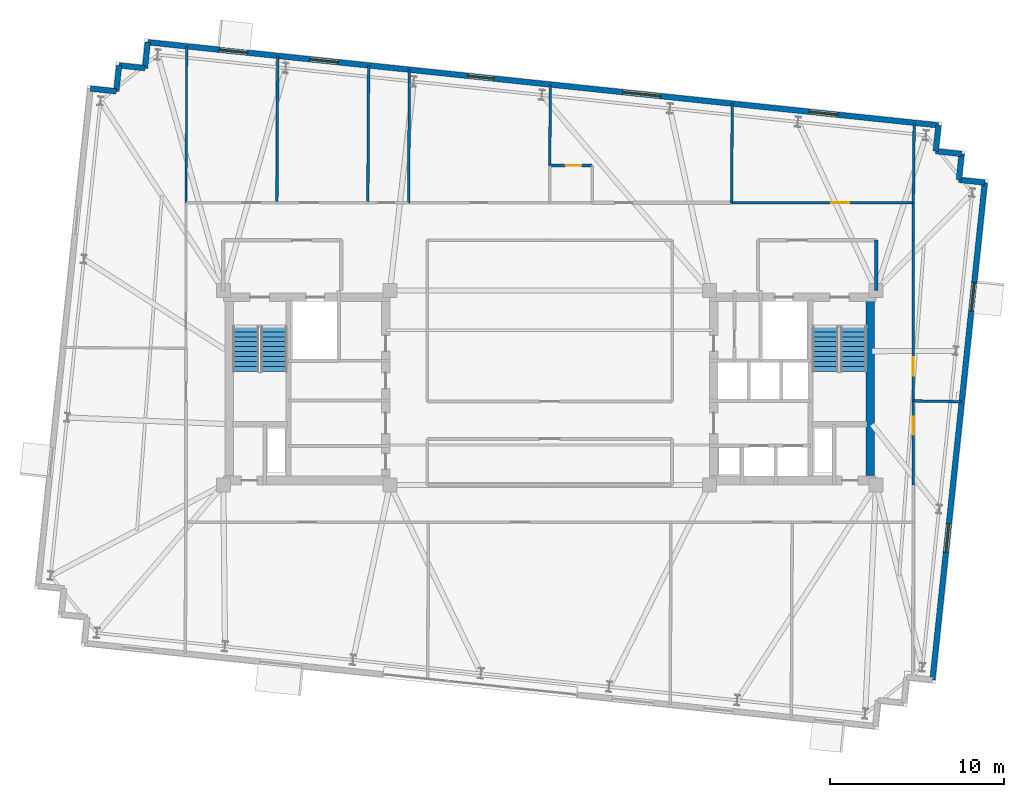
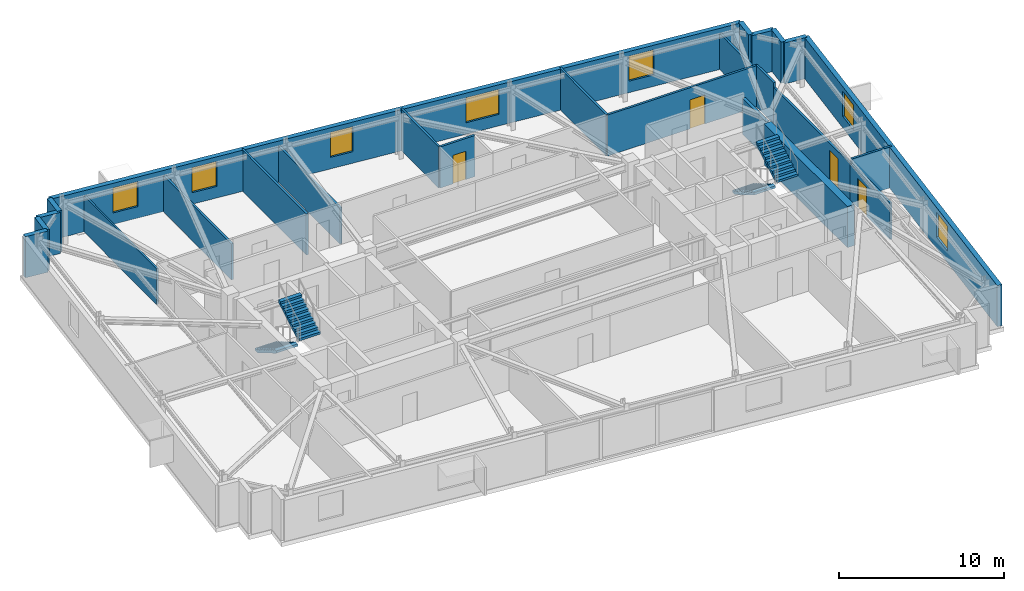
# One storey, part 10 of 13: 25 walls, 7 windows, 4 doors, 4 stair flights, 11 openings, 2 elements without a shape of their own.
"""IFC4 building model written with IfcOpenShell, lengths in metres."""

import ifcopenshell
import ifcopenshell.guid

model = None  # the IFC model being written
_history = None  # IfcOwnerHistory: only IFC2X3 demands one
_inside = {}  # id of a spatial element -> (the spatial element, [elements in it])
_under = {}  # id of a project, library or spatial element -> (it, [spatial elements below it])
_declared = {}  # id of a project -> (the project, [libraries it declares])
_typed = {}  # id of a type object -> (the type object, [elements of that type])
_made_of = {}  # id of a material, layer set ... -> (it, [elements and type objects made of it])


def new_model(schema):
    """Start an empty IFC model of exactly this schema.

    Asked for "IFC4X3", IfcOpenShell would pick the latest addendum, in which some entities
    have other attributes; the version numbers below select the first issue.
    IFC2X3 requires an IfcOwnerHistory on every rooted entity: one is made here for all.
    """
    global model, _history
    if schema == "IFC4X3":
        model = ifcopenshell.file(schema_version=(4, 3, 0, 0))
    else:
        model = ifcopenshell.file(schema=schema)
    _inside.clear()
    _under.clear()
    _declared.clear()
    _typed.clear()
    _made_of.clear()
    _history = None
    if model.schema == "IFC2X3":
        org = make("IfcOrganization", Name="unknown")
        user = make(
            "IfcPersonAndOrganization",
            ThePerson=make("IfcPerson", FamilyName="unknown"),
            TheOrganization=org,
        )
        app = make(
            "IfcApplication",
            ApplicationDeveloper=org,
            Version="unknown",
            ApplicationFullName="unknown",
            ApplicationIdentifier="unknown",
        )
        _history = make(
            "IfcOwnerHistory",
            OwningUser=user,
            OwningApplication=app,
            ChangeAction="ADDED",
            CreationDate=0,
        )
    return model


def make(cls, **values):
    """One entity of the class cls with the attributes given. An attribute that is None is left unset."""
    return model.create_entity(
        cls, **{name: value for name, value in values.items() if value is not None}
    )


def rooted(cls, **values):
    """An entity with a GlobalId (a new one), such as an element, a storey or a relation."""
    return make(cls, GlobalId=ifcopenshell.guid.new(), OwnerHistory=_history, **values)


def si_unit(unit_type, name, prefix=None):
    """IfcSIUnit, for example si_unit("LENGTHUNIT", "METRE", prefix="MILLI")."""
    return make("IfcSIUnit", UnitType=unit_type, Prefix=prefix, Name=name)


def assignment(units):
    """IfcUnitAssignment: the units of a project."""
    return None if units is None else make("IfcUnitAssignment", Units=units)


def point(xyz):
    """IfcCartesianPoint."""
    return None if xyz is None else make("IfcCartesianPoint", Coordinates=xyz)


def direction(xyz):
    """IfcDirection."""
    return None if xyz is None else make("IfcDirection", DirectionRatios=xyz)


def frame(location, z_axis=None, x_axis=None):
    """IfcAxis2Placement3D, a coordinate frame: its origin and axes. An axis left out is left unset."""
    return make(
        "IfcAxis2Placement3D",
        Location=point(location),
        Axis=direction(z_axis),
        RefDirection=direction(x_axis),
    )


def frame_2d(location, x_axis=None):
    """IfcAxis2Placement2D, a coordinate frame in the plane: its origin and x axis."""
    return make(
        "IfcAxis2Placement2D", Location=point(location), RefDirection=direction(x_axis)
    )


def origin():
    """The frame at (0, 0, 0) with its axes left unset."""
    return frame((0.0, 0.0, 0.0))


def place(relative_to, where):
    """IfcLocalPlacement: puts the frame where relative to a parent placement (None: the world)."""
    return make(
        "IfcLocalPlacement", PlacementRelTo=relative_to, RelativePlacement=where
    )


def context(
    kind, dimensions, precision=None, world=None, true_north=None, identifier=None
):
    """IfcGeometricRepresentationContext, for example the 3D "Model" context."""
    return make(
        "IfcGeometricRepresentationContext",
        ContextIdentifier=identifier,
        ContextType=kind,
        CoordinateSpaceDimension=dimensions,
        Precision=precision,
        WorldCoordinateSystem=world,
        TrueNorth=true_north,
    )


def subcontext(parent, identifier, kind, view, scale=None):
    """IfcGeometricRepresentationSubContext, for example "Body" below "Model"."""
    return make(
        "IfcGeometricRepresentationSubContext",
        ContextIdentifier=identifier,
        ContextType=kind,
        ParentContext=parent,
        TargetScale=scale,
        TargetView=view,
    )


def project(units=None, contexts=None):
    """IfcProject with its units and contexts."""
    return rooted(
        "IfcProject",
        Name="project",
        RepresentationContexts=contexts,
        UnitsInContext=assignment(units),
    )


def spatial(cls, under=None, at=None, **own):
    """A site, building, storey or space (cls), placed at a placement, below another one or the project."""
    s = rooted(cls, ObjectPlacement=at, **own)
    if under is not None:
        _under.setdefault(under.id(), (under, []))[1].append(s)
    return s


def polyline(points):
    """IfcPolyline through the points."""
    return make("IfcPolyline", Points=[point(p) for p in points])


def profile(cls, at=None, kind="AREA", **sizes):
    """A parametric profile (cls). Its sizes go by their IFC names, for example OverallWidth=200.0."""
    return make(cls, ProfileType=kind, Position=at, **sizes)


def rectangle(**sizes):
    """IfcRectangleProfileDef."""
    return profile("IfcRectangleProfileDef", **sizes)


def outline(outer, holes=None, kind="AREA"):
    """IfcArbitraryClosedProfileDef: a profile drawn as a closed curve; with holes, ...WithVoids."""
    if holes is None:
        return make("IfcArbitraryClosedProfileDef", ProfileType=kind, OuterCurve=outer)
    return make(
        "IfcArbitraryProfileDefWithVoids",
        ProfileType=kind,
        OuterCurve=outer,
        InnerCurves=holes,
    )


def extrude(swept, where, along, depth):
    """IfcExtrudedAreaSolid: the profile swept, set in the frame where, extruded along a direction by depth."""
    return make(
        "IfcExtrudedAreaSolid",
        SweptArea=swept,
        Position=where,
        ExtrudedDirection=direction(along),
        Depth=depth,
    )


def shape(context_of_items, identifier, shape_type, items):
    """IfcShapeRepresentation: the items that make up one representation, for example the "Body"."""
    return make(
        "IfcShapeRepresentation",
        ContextOfItems=context_of_items,
        RepresentationIdentifier=identifier,
        RepresentationType=shape_type,
        Items=items,
    )


def material(Name=None, Category=None):
    """IfcMaterial."""
    return make("IfcMaterial", Name=Name, Category=Category)


def layer(
    of_material, thickness, ventilated=None, Name=None, Category=None, Priority=None
):
    """IfcMaterialLayer: one layer of a wall or slab, of a material (None: an air gap)."""
    return make(
        "IfcMaterialLayer",
        Material=of_material,
        LayerThickness=thickness,
        IsVentilated=ventilated,
        Name=Name,
        Category=Category,
        Priority=Priority,
    )


def layer_set(layers, Name=None):
    """IfcMaterialLayerSet."""
    return make("IfcMaterialLayerSet", MaterialLayers=layers, LayerSetName=Name)


def made_of(thing, what):
    """Note that an element or type object is made of a material, layer set ...; save() writes the relation."""
    if what is not None:
        _made_of.setdefault(what.id(), (what, []))[1].append(thing)
    return thing


def type_object(cls, material=None, **own):
    """A type object (cls), such as IfcWallType, which elements share."""
    return made_of(rooted(cls, **own), material)


def element(
    cls,
    number,
    at=None,
    inside=None,
    cuts=None,
    type_object=None,
    material=None,
    context=None,
    identifier="Body",
    shape_type=None,
    held_by="IfcProductDefinitionShape",
    body=None,
    shapes=None,
    **own,
):
    """One element of the class cls, such as IfcWall. Its Tag is "e" and its number.

    at: its placement. inside: the storey or other place that contains it. cuts: it is an
    opening in that element (IfcRelVoidsElement). A single representation is given by context,
    identifier, shape_type and body (its items); several are given by shapes. held_by: the class
    of the entity that holds the representations. save() writes the other relations.
    """
    e = rooted(cls, Tag="e%d" % number, ObjectPlacement=at, **own)
    if body is not None:
        shapes = [shape(context, identifier, shape_type, body)]
    if shapes is not None:
        e.Representation = make(held_by, Representations=shapes)
    if inside is not None:
        _inside.setdefault(inside.id(), (inside, []))[1].append(e)
    if cuts is not None:
        rooted(
            "IfcRelVoidsElement", RelatingBuildingElement=cuts, RelatedOpeningElement=e
        )
    if type_object is not None:
        _typed.setdefault(type_object.id(), (type_object, []))[1].append(e)
    return made_of(e, material)


def fill(opening, filler):
    """IfcRelFillsElement: the door or window that sits in an opening."""
    return rooted(
        "IfcRelFillsElement",
        RelatingOpeningElement=opening,
        RelatedBuildingElement=filler,
    )


def aggregate(whole, parts):
    """IfcRelAggregates: a whole, such as a stair, and the parts it consists of."""
    return rooted("IfcRelAggregates", RelatingObject=whole, RelatedObjects=parts)


def save(model, path):
    """Write the relations noted so far, then the file.

    IfcRelAggregates (storeys below a building ...), IfcRelContainedInSpatialStructure (elements
    in a storey), IfcRelDefinesByType, IfcRelAssociatesMaterial and IfcRelDeclares: one each for
    every whole, place, type object, material and project.
    """
    for whole, parts in _under.values():
        aggregate(whole, parts)
    for where, things in _inside.values():
        rooted(
            "IfcRelContainedInSpatialStructure",
            RelatedElements=things,
            RelatingStructure=where,
        )
    for kind, things in _typed.values():
        rooted("IfcRelDefinesByType", RelatedObjects=things, RelatingType=kind)
    for what, things in _made_of.values():
        rooted("IfcRelAssociatesMaterial", RelatedObjects=things, RelatingMaterial=what)
    for by, libraries in _declared.values():
        rooted("IfcRelDeclares", RelatingContext=by, RelatedDefinitions=libraries)
    model.write(path)


model = new_model("IFC4")

# Units and contexts
model_context = context("Model", 3, precision=1e-05, world=origin(), true_north=direction((0.0, 1.0)))
body_context = subcontext(model_context, "Body", "Model", "MODEL_VIEW")
ifc_project = project(units=[si_unit("LENGTHUNIT", "METRE"), si_unit("AREAUNIT", "SQUARE_METRE"), si_unit("VOLUMEUNIT", "CUBIC_METRE"), si_unit("PLANEANGLEUNIT", "RADIAN"), si_unit("MASSUNIT", "GRAM", prefix="KILO")], contexts=[model_context])

# Site, building, storey
site_placement = place(None, origin())
site = spatial("IfcSite", under=ifc_project, at=site_placement, CompositionType="ELEMENT")
building_placement = place(site_placement, origin())
building = spatial("IfcBuilding", under=site, at=building_placement, Name="Qobustan Lattice House", CompositionType="ELEMENT")
storey_placement = place(building_placement, frame((0.0, 0.0, 199.75)))
storey = spatial("IfcBuildingStorey", under=building, at=storey_placement, Name="L56", CompositionType="ELEMENT", Elevation=199.75)

# Walls
ifc_material_1 = material(Name="Concrete C50/60", Category="concrete")
ifc_layer_1 = layer(ifc_material_1, 0.5)
ifc_layer_set_1 = layer_set([ifc_layer_1], Name="Concrete C50/60")
wall_type_1 = type_object("IfcWallType", Name="WAL-CORE-500", PredefinedType="SHEAR", material=ifc_layer_set_1)
wall_1_placement = place(storey_placement, frame((18.4599609375, -5.050048828125, 0.0), z_axis=(0.0, 0.0, 1.0), x_axis=(0.0, 1.0, 0.0)))
element("IfcWall", 1, at=wall_1_placement, inside=storey, type_object=wall_type_1, Name="L56 split-core shear wall CE-E", PredefinedType="SHEAR", context=body_context, shape_type="SweptSolid", body=[
    extrude(rectangle(XDim=10.10009765625, YDim=0.5, at=frame_2d((5.050048828125, 0.0))), origin(), (0.0, 0.0, 1.0), 3.0400390625),
])
ifc_material_2 = material(Name="Precast concrete C40/50", Category="concrete")
ifc_layer_2 = layer(ifc_material_2, 0.320068359375)
ifc_layer_set_2 = layer_set([ifc_layer_2], Name="Precast concrete C40/50")
wall_type_2 = type_object("IfcWallType", Name="WAL-EXT-STONE-320", PredefinedType="SOLIDWALL", material=ifc_layer_set_2)
wall_2_placement = place(storey_placement, frame((-26.452880859375, 17.228515625, 0.0), z_axis=(0.0, 0.0, 1.0), x_axis=(0.994508128223, -0.104659366031, 0.0)))
element("IfcWall", 2, at=wall_2_placement, inside=storey, type_object=wall_type_2, Name="L56 exterior limestone-clad wall 6", PredefinedType="SOLIDWALL", context=body_context, shape_type="SweptSolid", body=[
    extrude(rectangle(XDim=1.5, YDim=0.320068359375, at=frame_2d((0.75, 0.0))), origin(), (0.0, 0.0, 1.0), 3.0400390625),
])
wall_3_placement = place(storey_placement, frame((-24.961181640625, 17.071533203125, 0.0), z_axis=(0.0, 0.0, 1.0), x_axis=(0.104642427191, 0.994509910675, 0.0)))
element("IfcWall", 3, at=wall_3_placement, inside=storey, type_object=wall_type_2, Name="L56 exterior limestone-clad wall 7", PredefinedType="SOLIDWALL", context=body_context, shape_type="SweptSolid", body=[
    extrude(rectangle(XDim=1.500244140625, YDim=0.320068359375, at=frame_2d((0.75, 0.0))), origin(), (0.0, 0.0, 1.0), 3.0400390625),
])
wall_4_placement = place(storey_placement, frame((-24.80419921875, 18.5634765625, 0.0), z_axis=(0.0, 0.0, 1.0), x_axis=(0.994508128223, -0.104659366031, 0.0)))
element("IfcWall", 4, at=wall_4_placement, inside=storey, type_object=wall_type_2, Name="L56 exterior limestone-clad wall 8", PredefinedType="SOLIDWALL", context=body_context, shape_type="SweptSolid", body=[
    extrude(rectangle(XDim=1.5, YDim=0.320068359375, at=frame_2d((0.75, 0.0))), origin(), (0.0, 0.0, 1.0), 3.0400390625),
])
wall_5_placement = place(storey_placement, frame((-23.3125, 18.406494140625, 0.0), z_axis=(0.0, 0.0, 1.0), x_axis=(0.104481464157, 0.994526834051, 0.0)))
element("IfcWall", 5, at=wall_5_placement, inside=storey, type_object=wall_type_2, Name="L56 exterior limestone-clad wall 9", PredefinedType="SOLIDWALL", context=body_context, shape_type="SweptSolid", body=[
    extrude(rectangle(XDim=1.500244140625, YDim=0.320068359375, at=frame_2d((0.75, 0.0))), origin(), (0.0, 0.0, 1.0), 3.0400390625),
])

# Wall, openings, windows
wall_6_placement = place(storey_placement, frame((-23.15576171875, 19.8984375, 0.0), z_axis=(0.0, 0.0, 1.0), x_axis=(0.994522001802, -0.104527450613, 0.0)))
wall_6 = element("IfcWall", 6, at=wall_6_placement, inside=storey, type_object=wall_type_2, Name="L56 exterior limestone-clad wall 10", PredefinedType="SOLIDWALL", context=body_context, shape_type="SweptSolid", body=[
    extrude(rectangle(XDim=45.800048828125, YDim=0.320068359375, at=frame_2d((22.89990234375, 0.0))), origin(), (0.0, 0.0, 1.0), 3.0400390625),
])
opening_1_placement = place(wall_6_placement, frame((4.139404296875, 0.0, 0.85009765625)))
opening_1 = element("IfcOpeningElement", 7, at=opening_1_placement, cuts=wall_6, Name="Opening WN-09", PredefinedType="OPENING", context=body_context, shape_type="SweptSolid", body=[
    extrude(rectangle(XDim=1.64990234375, YDim=1.85009765625, at=frame_2d((0.824951171875, 0.925048828125))), frame((0.0, 0.169921875, 0.0), z_axis=(0.0, -1.0, 0.0), x_axis=(1.0, 0.0, 0.0)), (0.0, 0.0, 1.0), 0.340087890625),
])
opening_2_placement = place(wall_6_placement, frame((9.3837890625, 0.0, 0.85009765625)))
opening_2 = element("IfcOpeningElement", 8, at=opening_2_placement, cuts=wall_6, Name="Opening WN-09", PredefinedType="OPENING", context=body_context, shape_type="SweptSolid", body=[
    extrude(rectangle(XDim=1.64990234375, YDim=1.85009765625, at=frame_2d((0.824951171875, 0.925048828125))), frame((0.0, 0.169921875, 0.0), z_axis=(0.0, -1.0, 0.0), x_axis=(1.0, 0.0, 0.0)), (0.0, 0.0, 1.0), 0.340087890625),
])
opening_3_placement = place(wall_6_placement, frame((18.546875, 0.0, 0.85009765625)))
opening_3 = element("IfcOpeningElement", 9, at=opening_3_placement, cuts=wall_6, Name="Opening WN-01", PredefinedType="OPENING", context=body_context, shape_type="SweptSolid", body=[
    extrude(rectangle(XDim=1.5, YDim=1.85009765625, at=frame_2d((0.75, 0.925048828125))), frame((0.0, 0.169921875, 0.0), z_axis=(0.0, -1.0, 0.0), x_axis=(1.0, 0.0, 0.0)), (0.0, 0.0, 1.0), 0.340087890625),
])
opening_4_placement = place(wall_6_placement, frame((27.525146484375, 0.0, 0.85009765625)))
opening_4 = element("IfcOpeningElement", 10, at=opening_4_placement, cuts=wall_6, Name="Opening WN-03", PredefinedType="OPENING", context=body_context, shape_type="SweptSolid", body=[
    extrude(rectangle(XDim=2.199951171875, YDim=1.85009765625, at=frame_2d((1.10009765625, 0.925048828125))), frame((0.0, 0.169921875, 0.0), z_axis=(0.0, -1.0, 0.0), x_axis=(1.0, 0.0, 0.0)), (0.0, 0.0, 1.0), 0.340087890625),
])
opening_5_placement = place(wall_6_placement, frame((38.329345703125, 0.0, 0.85009765625)))
opening_5 = element("IfcOpeningElement", 11, at=opening_5_placement, cuts=wall_6, Name="Opening WN-09", PredefinedType="OPENING", context=body_context, shape_type="SweptSolid", body=[
    extrude(rectangle(XDim=1.64990234375, YDim=1.85009765625, at=frame_2d((0.824951171875, 0.925048828125))), frame((0.0, 0.169921875, 0.0), z_axis=(0.0, -1.0, 0.0), x_axis=(1.0, 0.0, 0.0)), (0.0, 0.0, 1.0), 0.340087890625),
])
ifc_material_3 = material(Name="Double-glazed low-E aluminium window", Category="aluminium")
window_type_1 = type_object("IfcWindowType", Name="WIN-BED-1500x1850", PartitioningType="SINGLE_PANEL", PredefinedType="WINDOW", material=ifc_material_3)
window_1_placement = place(opening_3_placement, origin())
window_1 = element("IfcWindow", 12, at=window_1_placement, inside=storey, type_object=window_type_1, Name="L56 Laundry utility room window", OverallHeight=1.85009765625, OverallWidth=1.5, PartitioningType="SINGLE_PANEL", PredefinedType="WINDOW", context=body_context, shape_type="SweptSolid", body=[
    extrude(rectangle(XDim=1.5, YDim=1.85009765625, at=frame_2d((0.75, 0.925048828125))), frame((0.0, 0.030029296875, 0.0), z_axis=(0.0, -1.0, 0.0), x_axis=(1.0, 0.0, 0.0)), (0.0, 0.0, 1.0), 0.06005859375),
])
fill(opening_3, window_1)
ifc_material_4 = material(Name="Double-glazed low-E aluminium window", Category="aluminium")
window_type_2 = type_object("IfcWindowType", Name="WIN-STU-1650x1850", PartitioningType="SINGLE_PANEL", PredefinedType="WINDOW", material=ifc_material_4)
window_2_placement = place(opening_1_placement, origin())
window_2 = element("IfcWindow", 13, at=window_2_placement, inside=storey, type_object=window_type_2, Name="L56 Focus study room N1A window", OverallHeight=1.85009765625, OverallWidth=1.64990234375, PartitioningType="SINGLE_PANEL", PredefinedType="WINDOW", context=body_context, shape_type="SweptSolid", body=[
    extrude(rectangle(XDim=1.64990234375, YDim=1.85009765625, at=frame_2d((0.824951171875, 0.925048828125))), frame((0.0, 0.030029296875, 0.0), z_axis=(0.0, -1.0, 0.0), x_axis=(1.0, 0.0, 0.0)), (0.0, 0.0, 1.0), 0.06005859375),
])
fill(opening_1, window_2)
window_3_placement = place(opening_2_placement, origin())
window_3 = element("IfcWindow", 14, at=window_3_placement, inside=storey, type_object=window_type_2, Name="L56 Focus study room N1B window", OverallHeight=1.85009765625, OverallWidth=1.64990234375, PartitioningType="SINGLE_PANEL", PredefinedType="WINDOW", context=body_context, shape_type="SweptSolid", body=[
    extrude(rectangle(XDim=1.64990234375, YDim=1.85009765625, at=frame_2d((0.824951171875, 0.925048828125))), frame((0.0, 0.030029296875, 0.0), z_axis=(0.0, -1.0, 0.0), x_axis=(1.0, 0.0, 0.0)), (0.0, 0.0, 1.0), 0.06005859375),
])
fill(opening_2, window_3)
window_4_placement = place(opening_5_placement, origin())
window_4 = element("IfcWindow", 15, at=window_4_placement, inside=storey, type_object=window_type_2, Name="L56 Focus study room N4 window", OverallHeight=1.85009765625, OverallWidth=1.64990234375, PartitioningType="SINGLE_PANEL", PredefinedType="WINDOW", context=body_context, shape_type="SweptSolid", body=[
    extrude(rectangle(XDim=1.64990234375, YDim=1.85009765625, at=frame_2d((0.824951171875, 0.925048828125))), frame((0.0, 0.030029296875, 0.0), z_axis=(0.0, -1.0, 0.0), x_axis=(1.0, 0.0, 0.0)), (0.0, 0.0, 1.0), 0.06005859375),
])
fill(opening_5, window_4)
ifc_material_5 = material(Name="Double-glazed low-E aluminium window", Category="aluminium")
window_type_3 = type_object("IfcWindowType", Name="WIN-WIDE-2200x1850", PartitioningType="SINGLE_PANEL", PredefinedType="WINDOW", material=ifc_material_5)
window_5_placement = place(opening_4_placement, origin())
window_5 = element("IfcWindow", 16, at=window_5_placement, inside=storey, type_object=window_type_3, Name="L56 Kitchenette and studio apartment L56-N3 window", OverallHeight=1.85009765625, OverallWidth=2.199951171875, PartitioningType="SINGLE_PANEL", PredefinedType="WINDOW", context=body_context, shape_type="SweptSolid", body=[
    extrude(rectangle(XDim=2.199951171875, YDim=1.85009765625, at=frame_2d((1.10009765625, 0.925048828125))), frame((0.0, 0.030029296875, 0.0), z_axis=(0.0, -1.0, 0.0), x_axis=(1.0, 0.0, 0.0)), (0.0, 0.0, 1.0), 0.06005859375),
])
fill(opening_4, window_5)

# Walls
wall_7_placement = place(storey_placement, frame((22.393310546875, 15.111083984375, 0.0), z_axis=(0.0, 0.0, 1.0), x_axis=(-0.104481464157, -0.994526834051, 0.0)))
element("IfcWall", 17, at=wall_7_placement, inside=storey, type_object=wall_type_2, Name="L56 exterior limestone-clad wall 11", PredefinedType="SOLIDWALL", context=body_context, shape_type="SweptSolid", body=[
    extrude(rectangle(XDim=1.500244140625, YDim=0.320068359375, at=frame_2d((0.75, 0.0))), origin(), (0.0, 0.0, 1.0), 3.0400390625),
])
for number, where, z_axis, x_axis, name in (
    (18, (22.236572265625, 13.619140625, 0.0), (0.0, 0.0, 1.0), (0.994525057048, -0.104498377516, 0.0), "L56 exterior limestone-clad wall 12"),
    (19, (23.728271484375, 13.46240234375, 0.0), (0.0, 0.0, 1.0), (-0.104498377516, -0.994525057048, 0.0), "L56 exterior limestone-clad wall 13"),
    (20, (23.571533203125, 11.970703125, 0.0), (0.0, 0.0, 1.0), (0.994508128223, -0.104659366031, 0.0), "L56 exterior limestone-clad wall 14"),
):
    element("IfcWall", number, at=place(storey_placement, frame(where, z_axis=z_axis, x_axis=x_axis)), inside=storey, type_object=wall_type_2, Name=name, PredefinedType="SOLIDWALL", context=body_context, shape_type="SweptSolid", body=[
        extrude(rectangle(XDim=1.5, YDim=0.320068359375, at=frame_2d((0.75, 0.0))), origin(), (0.0, 0.0, 1.0), 3.0400390625),
    ])

# Wall, openings, windows
wall_8_placement = place(storey_placement, frame((25.063232421875, 11.813720703125, 0.0), z_axis=(0.0, 0.0, 1.0), x_axis=(-0.104523275986, -0.99452244056, 0.0)))
wall_8 = element("IfcWall", 21, at=wall_8_placement, inside=storey, type_object=wall_type_2, Name="L56 exterior limestone-clad wall 15", PredefinedType="SOLIDWALL", context=body_context, shape_type="SweptSolid", body=[
    extrude(rectangle(XDim=28.7998046875, YDim=0.320068359375, at=frame_2d((14.39990234375, 0.0))), origin(), (0.0, 0.0, 1.0), 3.0400390625),
])
opening_6_placement = place(wall_8_placement, frame((5.79345703125, 0.0, 0.85009765625)))
opening_6 = element("IfcOpeningElement", 22, at=opening_6_placement, cuts=wall_8, Name="Opening WN-09", PredefinedType="OPENING", context=body_context, shape_type="SweptSolid", body=[
    extrude(rectangle(XDim=1.64990234375, YDim=1.85009765625, at=frame_2d((0.824951171875, 0.925048828125))), frame((0.0, 0.169921875, 0.0), z_axis=(0.0, -1.0, 0.0), x_axis=(1.0, 0.0, 0.0)), (0.0, 0.0, 1.0), 0.340087890625),
])
opening_7_placement = place(wall_8_placement, frame((19.752197265625, 0.0, 0.85009765625)))
opening_7 = element("IfcOpeningElement", 23, at=opening_7_placement, cuts=wall_8, Name="Opening WN-09", PredefinedType="OPENING", context=body_context, shape_type="SweptSolid", body=[
    extrude(rectangle(XDim=1.64990234375, YDim=1.85009765625, at=frame_2d((0.824951171875, 0.925048828125))), frame((0.0, 0.169921875, 0.0), z_axis=(0.0, -1.0, 0.0), x_axis=(1.0, 0.0, 0.0)), (0.0, 0.0, 1.0), 0.340087890625),
])
window_6_placement = place(opening_6_placement, origin())
window_6 = element("IfcWindow", 24, at=window_6_placement, inside=storey, type_object=window_type_2, Name="L56 Collaborative tutorial room window", OverallHeight=1.85009765625, OverallWidth=1.64990234375, PartitioningType="SINGLE_PANEL", PredefinedType="WINDOW", context=body_context, shape_type="SweptSolid", body=[
    extrude(rectangle(XDim=1.64990234375, YDim=1.85009765625, at=frame_2d((0.824951171875, 0.925048828125))), frame((0.0, 0.030029296875, 0.0), z_axis=(0.0, -1.0, 0.0), x_axis=(1.0, 0.0, 0.0)), (0.0, 0.0, 1.0), 0.06005859375),
])
fill(opening_6, window_6)
window_7_placement = place(opening_7_placement, origin())
window_7 = element("IfcWindow", 25, at=window_7_placement, inside=storey, type_object=window_type_2, Name="L56 Fellows reading room window", OverallHeight=1.85009765625, OverallWidth=1.64990234375, PartitioningType="SINGLE_PANEL", PredefinedType="WINDOW", context=body_context, shape_type="SweptSolid", body=[
    extrude(rectangle(XDim=1.64990234375, YDim=1.85009765625, at=frame_2d((0.824951171875, 0.925048828125))), frame((0.0, 0.030029296875, 0.0), z_axis=(0.0, -1.0, 0.0), x_axis=(1.0, 0.0, 0.0)), (0.0, 0.0, 1.0), 0.06005859375),
])
fill(opening_7, window_7)

# Walls
ifc_material_6 = material(Name="Lightweight acoustic stud partition", Category="gypsum")
ifc_layer_3 = layer(ifc_material_6, 0.125)
ifc_layer_set_3 = layer_set([ifc_layer_3], Name="Lightweight acoustic stud partition")
wall_type_3 = type_object("IfcWallType", Name="WAL-PART-125", PredefinedType="PARTITIONING", material=ifc_layer_set_3)
wall_9_placement = place(storey_placement, frame((-20.906005859375, 19.661865234375, 0.0), z_axis=(0.0, 0.0, 1.0), x_axis=(-0.004876272857, -0.999988110911, 0.0)))
element("IfcWall", 26, at=wall_9_placement, inside=storey, type_object=wall_type_3, Name="L56 interior partition 63", PredefinedType="PARTITIONING", context=body_context, shape_type="SweptSolid", body=[
    extrude(rectangle(XDim=9.011962890625, YDim=0.125, at=frame_2d((4.505859375, 0.0))), origin(), (0.0, 0.0, 1.0), 2.6650390625),
])
ifc_material_7 = material(Name="Acoustic twin-stud gypsum partition", Category="gypsum")
ifc_layer_4 = layer(ifc_material_7, 0.14990234375)
ifc_layer_set_4 = layer_set([ifc_layer_4], Name="Acoustic twin-stud gypsum partition")
wall_type_4 = type_object("IfcWallType", Name="WAL-PART-150", PredefinedType="PARTITIONING", material=ifc_layer_set_4)
wall_10_placement = place(storey_placement, frame((20.949951171875, 10.64990234375, 0.0), z_axis=(0.0, 0.0, 1.0), x_axis=(0.0, -1.0, 0.0)))
element("IfcWall", 27, at=wall_10_placement, inside=storey, type_object=wall_type_4, Name="L56 interior partition 37", PredefinedType="PARTITIONING", context=body_context, shape_type="SweptSolid", body=[
    extrude(rectangle(XDim=2.14990234375, YDim=0.14990234375, at=frame_2d((1.074951171875, 0.0))), origin(), (0.0, 0.0, 1.0), 3.0400390625),
])

# Wall, opening, door
wall_11_placement = place(storey_placement, frame((10.47509765625, 10.64990234375, 0.0), z_axis=(0.0, 0.0, 1.0), x_axis=(1.0, 0.0, 0.0)))
wall_11 = element("IfcWall", 28, at=wall_11_placement, inside=storey, type_object=wall_type_4, Name="L56 interior partition 40", PredefinedType="PARTITIONING", context=body_context, shape_type="SweptSolid", body=[
    extrude(rectangle(XDim=10.474853515625, YDim=0.14990234375, at=frame_2d((5.2373046875, 0.0))), origin(), (0.0, 0.0, 1.0), 3.0400390625),
])
opening_8_placement = place(wall_11_placement, frame((5.74560546875, 0.0, 0.0)))
opening_8 = element("IfcOpeningElement", 29, at=opening_8_placement, cuts=wall_11, Name="Opening ID-02", PredefinedType="OPENING", context=body_context, shape_type="SweptSolid", body=[
    extrude(rectangle(XDim=1.050048828125, YDim=2.14990234375, at=frame_2d((0.52490234375, 1.074951171875))), frame((0.0, 0.0849609375, 0.0), z_axis=(0.0, -1.0, 0.0), x_axis=(1.0, 0.0, 0.0)), (0.0, 0.0, 1.0), 0.169921875),
])
ifc_material_8 = material(Name="Persian walnut timber and steel frame door", Category="steel")
door_type_1 = type_object("IfcDoorType", Name="DOR-STUDY-1050x2150", OperationType="NOTDEFINED", PredefinedType="DOOR", material=ifc_material_8)
door_1_placement = place(opening_8_placement, origin())
door_1 = element("IfcDoor", 30, at=door_1_placement, inside=storey, type_object=door_type_1, Name="L56 North-east floor corridor to Focus study room N4 door", OperationType="SINGLE_SWING_RIGHT", OverallHeight=2.14990234375, OverallWidth=1.050048828125, PredefinedType="DOOR", context=body_context, shape_type="SweptSolid", body=[
    extrude(rectangle(XDim=1.050048828125, YDim=2.14990234375, at=frame_2d((0.52490234375, 1.074951171875))), frame((0.0, 0.02490234375, 0.0), z_axis=(0.0, -1.0, 0.0), x_axis=(1.0, 0.0, 0.0)), (0.0, 0.0, 1.0), 0.050048828125),
])
fill(opening_8, door_1)

wall_12_placement = place(storey_placement, frame((20.949951171875, -0.76318359375, 0.0), z_axis=(0.0, 0.0, 1.0), x_axis=(0.0, -1.0, 0.0)))
wall_12 = element("IfcWall", 31, at=wall_12_placement, inside=storey, type_object=wall_type_4, Name="L56 interior partition 53", PredefinedType="PARTITIONING", context=body_context, shape_type="SweptSolid", body=[
    extrude(rectangle(XDim=4.8369140625, YDim=0.14990234375, at=frame_2d((2.41845703125, 0.0))), origin(), (0.0, 0.0, 1.0), 2.695068359375),
])
opening_9_placement = place(wall_12_placement, frame((0.908203125, 0.0, 0.0)))
opening_9 = element("IfcOpeningElement", 32, at=opening_9_placement, cuts=wall_12, Name="Opening ID-02", PredefinedType="OPENING", context=body_context, shape_type="SweptSolid", body=[
    extrude(rectangle(XDim=1.050048828125, YDim=2.14990234375, at=frame_2d((0.52490234375, 1.074951171875))), frame((0.0, 0.0849609375, 0.0), z_axis=(0.0, -1.0, 0.0), x_axis=(1.0, 0.0, 0.0)), (0.0, 0.0, 1.0), 0.169921875),
])
door_2_placement = place(opening_9_placement, origin())
door_2 = element("IfcDoor", 33, at=door_2_placement, inside=storey, type_object=door_type_1, Name="L56 East wing spine gallery to Fellows reading room door", OperationType="SINGLE_SWING_LEFT", OverallHeight=2.14990234375, OverallWidth=1.050048828125, PredefinedType="DOOR", context=body_context, shape_type="SweptSolid", body=[
    extrude(rectangle(XDim=1.050048828125, YDim=2.14990234375, at=frame_2d((0.52490234375, 1.074951171875))), frame((0.0, 0.02490234375, 0.0), z_axis=(0.0, -1.0, 0.0), x_axis=(1.0, 0.0, 0.0)), (0.0, 0.0, 1.0), 0.050048828125),
])
fill(opening_9, door_2)

wall_13_placement = place(storey_placement, frame((20.949951171875, 8.5, 0.0), z_axis=(0.0, 0.0, 1.0), x_axis=(0.0, -1.0, 0.0)))
wall_13 = element("IfcWall", 34, at=wall_13_placement, inside=storey, type_object=wall_type_4, Name="L56 interior partition 54", PredefinedType="PARTITIONING", context=body_context, shape_type="SweptSolid", body=[
    extrude(rectangle(XDim=9.26318359375, YDim=0.14990234375, at=frame_2d((4.631591796875, 0.0))), origin(), (0.0, 0.0, 1.0), 2.695068359375),
])
opening_10_placement = place(wall_13_placement, frame((6.75146484375, 0.0, 0.0)))
opening_10 = element("IfcOpeningElement", 35, at=opening_10_placement, cuts=wall_13, Name="Opening ID-02", PredefinedType="OPENING", context=body_context, shape_type="SweptSolid", body=[
    extrude(rectangle(XDim=1.050048828125, YDim=2.14990234375, at=frame_2d((0.52490234375, 1.074951171875))), frame((0.0, 0.0849609375, 0.0), z_axis=(0.0, -1.0, 0.0), x_axis=(1.0, 0.0, 0.0)), (0.0, 0.0, 1.0), 0.169921875),
])
door_3_placement = place(opening_10_placement, origin())
door_3 = element("IfcDoor", 36, at=door_3_placement, inside=storey, type_object=door_type_1, Name="L56 East wing spine gallery to Collaborative tutorial room door", OperationType="SINGLE_SWING_RIGHT", OverallHeight=2.14990234375, OverallWidth=1.050048828125, PredefinedType="DOOR", context=body_context, shape_type="SweptSolid", body=[
    extrude(rectangle(XDim=1.050048828125, YDim=2.14990234375, at=frame_2d((0.52490234375, 1.074951171875))), frame((0.0, 0.02490234375, 0.0), z_axis=(0.0, -1.0, 0.0), x_axis=(1.0, 0.0, 0.0)), (0.0, 0.0, 1.0), 0.050048828125),
])
fill(opening_10, door_3)

# Walls
wall_14_placement = place(storey_placement, frame((20.949951171875, -0.76318359375, 0.0), z_axis=(0.0, 0.0, 1.0), x_axis=(0.999875696831, -0.015766765259, 0.0)))
element("IfcWall", 37, at=wall_14_placement, inside=storey, type_object=wall_type_4, Name="L56 interior partition 64", PredefinedType="PARTITIONING", context=body_context, shape_type="SweptSolid", body=[
    extrude(rectangle(XDim=2.787109375, YDim=0.14990234375, at=frame_2d((1.3935546875, 0.0))), origin(), (0.0, 0.0, 1.0), 3.0400390625),
])
wall_15_placement = place(storey_placement, frame((20.949951171875, 10.64990234375, 0.0), z_axis=(0.0, 0.0, 1.0), x_axis=(0.009535990233, 0.999954531411, 0.0)))
element("IfcWall", 38, at=wall_15_placement, inside=storey, type_object=wall_type_4, Name="L56 interior partition 66", PredefinedType="PARTITIONING", context=body_context, shape_type="SweptSolid", body=[
    extrude(rectangle(XDim=4.6083984375, YDim=0.14990234375, at=frame_2d((2.30419921875, 0.0))), origin(), (0.0, 0.0, 1.0), 2.6650390625),
])
wall_16_placement = place(storey_placement, frame((-15.668701171875, 19.111572265625, 0.0), z_axis=(0.0, 0.0, 1.0), x_axis=(-0.005164534834, -0.999986663701, 0.0)))
element("IfcWall", 39, at=wall_16_placement, inside=storey, type_object=wall_type_4, Name="L56 interior partition 67", PredefinedType="PARTITIONING", context=body_context, shape_type="SweptSolid", body=[
    extrude(rectangle(XDim=8.461669921875, YDim=0.14990234375, at=frame_2d((4.23095703125, 0.0))), origin(), (0.0, 0.0, 1.0), 2.6650390625),
])
wall_17_placement = place(storey_placement, frame((0.0439453125, 17.4599609375, 0.0), z_axis=(0.0, 0.0, 1.0), x_axis=(-0.009430083116, -0.999955535778, 0.0)))
element("IfcWall", 40, at=wall_17_placement, inside=storey, type_object=wall_type_4, Name="L56 interior partition 70", PredefinedType="PARTITIONING", context=body_context, shape_type="SweptSolid", body=[
    extrude(rectangle(XDim=4.66015625, YDim=0.14990234375, at=frame_2d((2.330078125, 0.0))), origin(), (0.0, 0.0, 1.0), 3.0400390625),
])
wall_18_placement = place(storey_placement, frame((10.518798828125, 16.359130859375, 0.0), z_axis=(0.0, 0.0, 1.0), x_axis=(-0.007654255135, -0.99997070576, 0.0)))
element("IfcWall", 41, at=wall_18_placement, inside=storey, type_object=wall_type_4, Name="L56 interior partition 74", PredefinedType="PARTITIONING", context=body_context, shape_type="SweptSolid", body=[
    extrude(rectangle(XDim=5.70947265625, YDim=0.14990234375, at=frame_2d((2.854736328125, 0.0))), origin(), (0.0, 0.0, 1.0), 3.0400390625),
])
ifc_material_9 = material(Name="Two-hour gypsum fireboard acoustic partition", Category="gypsum")
ifc_layer_5 = layer(ifc_material_9, 0.199951171875)
ifc_layer_set_5 = layer_set([ifc_layer_5], Name="Two-hour gypsum fireboard acoustic partition")
wall_type_5 = type_object("IfcWallType", Name="WAL-PROT-200", PredefinedType="PARTITIONING", material=ifc_layer_set_5)
wall_19_placement = place(storey_placement, frame((18.800048828125, 5.60009765625, 0.0), z_axis=(0.0, 0.0, 1.0), x_axis=(0.0, 1.0, 0.0)))
element("IfcWall", 42, at=wall_19_placement, inside=storey, type_object=wall_type_5, Name="L56 interior partition 16", PredefinedType="PARTITIONING", context=body_context, shape_type="SweptSolid", body=[
    extrude(rectangle(XDim=2.89990234375, YDim=0.199951171875, at=frame_2d((1.449951171875, 0.0))), origin(), (0.0, 0.0, 1.0), 2.6650390625),
])
ifc_material_10 = material(Name="Moisture-resistant acoustic plumbing wall", Category="gypsum")
ifc_layer_6 = layer(ifc_material_10, 0.14990234375)
ifc_layer_set_6 = layer_set([ifc_layer_6], Name="Moisture-resistant acoustic plumbing wall")
wall_type_6 = type_object("IfcWallType", Name="WAL-WET-150", PredefinedType="PLUMBINGWALL", material=ifc_layer_set_6)
wall_20_placement = place(storey_placement, frame((-10.43115234375, 18.56103515625, 0.0), z_axis=(0.0, 0.0, 1.0), x_axis=(-0.005554784069, -0.999984572068, 0.0)))
element("IfcWall", 43, at=wall_20_placement, inside=storey, type_object=wall_type_6, Name="L56 interior partition 68", PredefinedType="PLUMBINGWALL", context=body_context, shape_type="SweptSolid", body=[
    extrude(rectangle(XDim=7.9111328125, YDim=0.14990234375, at=frame_2d((3.95556640625, 0.0))), origin(), (0.0, 0.0, 1.0), 3.0400390625),
])
wall_21_placement = place(storey_placement, frame((-8.0810546875, 18.31396484375, 0.0), z_axis=(0.0, 0.0, 1.0), x_axis=(-0.005733850696, -0.999983561343, 0.0)))
element("IfcWall", 44, at=wall_21_placement, inside=storey, type_object=wall_type_6, Name="L56 interior partition 69", PredefinedType="PLUMBINGWALL", context=body_context, shape_type="SweptSolid", body=[
    extrude(rectangle(XDim=7.664306640625, YDim=0.14990234375, at=frame_2d((3.83203125, 0.0))), origin(), (0.0, 0.0, 1.0), 2.6650390625),
])

# Wall, opening, door
wall_22_placement = place(storey_placement, frame((2.449951171875, 12.800048828125, 0.0), z_axis=(0.0, 0.0, 1.0), x_axis=(-1.0, 0.0, 0.0)))
wall_22 = element("IfcWall", 45, at=wall_22_placement, inside=storey, type_object=wall_type_6, Name="L56 interior partition 72", PredefinedType="PLUMBINGWALL", context=body_context, shape_type="SweptSolid", body=[
    extrude(rectangle(XDim=2.449951171875, YDim=0.14990234375, at=frame_2d((1.22509765625, 0.0))), origin(), (0.0, 0.0, 1.0), 3.0400390625),
])
opening_11_placement = place(wall_22_placement, frame((0.62890625, 0.0, 0.0)))
opening_11 = element("IfcOpeningElement", 46, at=opening_11_placement, cuts=wall_22, Name="Opening WD-01", PredefinedType="OPENING", context=body_context, shape_type="SweptSolid", body=[
    extrude(rectangle(XDim=0.89990234375, YDim=2.10009765625, at=frame_2d((0.449951171875, 1.050048828125))), frame((0.0, 0.0849609375, 0.0), z_axis=(0.0, -1.0, 0.0), x_axis=(1.0, 0.0, 0.0)), (0.0, 0.0, 1.0), 0.169921875),
])
ifc_material_11 = material(Name="Persian walnut timber and steel frame door", Category="steel")
door_type_2 = type_object("IfcDoorType", Name="DOR-WET-900x2100", OperationType="NOTDEFINED", PredefinedType="DOOR", material=ifc_material_11)
door_4_placement = place(opening_11_placement, origin())
door_4 = element("IfcDoor", 47, at=door_4_placement, inside=storey, type_object=door_type_2, Name="L56 Kitchenette and studio apartment L56-N3 to En-suite bathroom L56-N3 door", OperationType="SINGLE_SWING_LEFT", OverallHeight=2.10009765625, OverallWidth=0.89990234375, PredefinedType="DOOR", context=body_context, shape_type="SweptSolid", body=[
    extrude(rectangle(XDim=0.89990234375, YDim=2.10009765625, at=frame_2d((0.449951171875, 1.050048828125))), frame((0.0, 0.02490234375, 0.0), z_axis=(0.0, -1.0, 0.0), x_axis=(1.0, 0.0, 0.0)), (0.0, 0.0, 1.0), 0.050048828125),
])
fill(opening_11, door_4)

# Stair, stair flights
ifc_material_12 = material(Name="Concrete C40/50", Category="concrete")
stair_type = type_object("IfcStairType", Name="STR-CORE-DOGLEG", PredefinedType="HALF_TURN_STAIR", material=ifc_material_12)
stair_1_placement = place(storey_placement, origin())
stair_1 = element("IfcStair", 48, at=stair_1_placement, inside=storey, type_object=stair_type, Name="L56 West protected exit stair ST-W1", PredefinedType="HALF_TURN_STAIR")
ifc_material_13 = material(Name="Concrete C40/50", Category="concrete")
stair_flight_type = type_object("IfcStairFlightType", Name="SFL-RC-1500", PredefinedType="STRAIGHT", material=ifc_material_13)
stair_flight_1_placement = place(storey_placement, frame((-17.5, 3.5, 0.0), z_axis=(0.0, 0.0, 1.0), x_axis=(0.0, -1.0, 0.0)))
stair_flight_1 = element("IfcStairFlight", 49, at=stair_flight_1_placement, type_object=stair_flight_type, Name="ST-W1 flight 1", NumberOfRisers=10, NumberOfTreads=9, PredefinedType="STRAIGHT", RiserHeight=0.1675, TreadLength=0.285, context=body_context, shape_type="SweptSolid", body=[
    extrude(outline(polyline([(0.0, 0.0), (0.0, 0.16748046875), (0.284912109375, 0.16748046875), (0.284912109375, 0.3349609375), (0.570068359375, 0.3349609375), (0.570068359375, 0.50244140625), (0.85498046875, 0.50244140625), (0.85498046875, 0.669921875), (1.139892578125, 0.669921875), (1.139892578125, 0.83740234375), (1.425048828125, 0.83740234375), (1.425048828125, 1.0048828125), (1.7099609375, 1.0048828125), (1.7099609375, 1.172607421875), (1.9951171875, 1.172607421875), (1.9951171875, 1.340087890625), (2.280029296875, 1.340087890625), (2.280029296875, 1.507568359375), (2.56494140625, 1.507568359375), (2.56494140625, 1.675048828125), (2.56494140625, 1.333740234375), (0.2958984375, 0.0), (0.0, 0.0)])), frame((0.0, 0.75, 0.0), z_axis=(0.0, -1.0, 0.0), x_axis=(1.0, 0.0, 0.0)), (0.0, 0.0, 1.0), 1.5),
])
stair_flight_2_placement = place(storey_placement, frame((-15.8798828125, 0.93505859375, 1.675048828125), z_axis=(0.0, 0.0, 1.0), x_axis=(0.0, 1.0, 0.0)))
stair_flight_2 = element("IfcStairFlight", 50, at=stair_flight_2_placement, type_object=stair_flight_type, Name="ST-W1 flight 2", NumberOfRisers=10, NumberOfTreads=9, PredefinedType="STRAIGHT", RiserHeight=0.1675, TreadLength=0.285, context=body_context, shape_type="SweptSolid", body=[
    extrude(outline(polyline([(0.0, 0.0), (0.0, 0.16748046875), (0.284912109375, 0.16748046875), (0.284912109375, 0.3349609375), (0.570068359375, 0.3349609375), (0.570068359375, 0.50244140625), (0.85498046875, 0.50244140625), (0.85498046875, 0.669921875), (1.139892578125, 0.669921875), (1.139892578125, 0.83740234375), (1.425048828125, 0.83740234375), (1.425048828125, 1.0048828125), (1.7099609375, 1.0048828125), (1.7099609375, 1.172607421875), (1.9951171875, 1.172607421875), (1.9951171875, 1.340087890625), (2.280029296875, 1.340087890625), (2.280029296875, 1.507568359375), (2.56494140625, 1.507568359375), (2.56494140625, 1.675048828125), (2.56494140625, 1.333740234375), (0.2958984375, 0.0), (0.0, 0.0)])), frame((0.0, 0.75, 0.0), z_axis=(0.0, -1.0, 0.0), x_axis=(1.0, 0.0, 0.0)), (0.0, 0.0, 1.0), 1.5),
])
aggregate(stair_1, [stair_flight_1, stair_flight_2])

stair_2_placement = place(storey_placement, origin())
stair_2 = element("IfcStair", 51, at=stair_2_placement, inside=storey, type_object=stair_type, Name="L56 East protected exit stair ST-E1", PredefinedType="HALF_TURN_STAIR")
stair_flight_3_placement = place(storey_placement, frame((15.8798828125, 3.5, 0.0), z_axis=(0.0, 0.0, 1.0), x_axis=(0.0, -1.0, 0.0)))
stair_flight_3 = element("IfcStairFlight", 52, at=stair_flight_3_placement, type_object=stair_flight_type, Name="ST-E1 flight 1", NumberOfRisers=10, NumberOfTreads=9, PredefinedType="STRAIGHT", RiserHeight=0.1675, TreadLength=0.285, context=body_context, shape_type="SweptSolid", body=[
    extrude(outline(polyline([(0.0, 0.0), (0.0, 0.16748046875), (0.284912109375, 0.16748046875), (0.284912109375, 0.3349609375), (0.570068359375, 0.3349609375), (0.570068359375, 0.50244140625), (0.85498046875, 0.50244140625), (0.85498046875, 0.669921875), (1.139892578125, 0.669921875), (1.139892578125, 0.83740234375), (1.425048828125, 0.83740234375), (1.425048828125, 1.0048828125), (1.7099609375, 1.0048828125), (1.7099609375, 1.172607421875), (1.9951171875, 1.172607421875), (1.9951171875, 1.340087890625), (2.280029296875, 1.340087890625), (2.280029296875, 1.507568359375), (2.56494140625, 1.507568359375), (2.56494140625, 1.675048828125), (2.56494140625, 1.333740234375), (0.2958984375, 0.0), (0.0, 0.0)])), frame((0.0, 0.75, 0.0), z_axis=(0.0, -1.0, 0.0), x_axis=(1.0, 0.0, 0.0)), (0.0, 0.0, 1.0), 1.5),
])
stair_flight_4_placement = place(storey_placement, frame((17.5, 0.93505859375, 1.675048828125), z_axis=(0.0, 0.0, 1.0), x_axis=(0.0, 1.0, 0.0)))
stair_flight_4 = element("IfcStairFlight", 53, at=stair_flight_4_placement, type_object=stair_flight_type, Name="ST-E1 flight 2", NumberOfRisers=10, NumberOfTreads=9, PredefinedType="STRAIGHT", RiserHeight=0.1675, TreadLength=0.285, context=body_context, shape_type="SweptSolid", body=[
    extrude(outline(polyline([(0.0, 0.0), (0.0, 0.16748046875), (0.284912109375, 0.16748046875), (0.284912109375, 0.3349609375), (0.570068359375, 0.3349609375), (0.570068359375, 0.50244140625), (0.85498046875, 0.50244140625), (0.85498046875, 0.669921875), (1.139892578125, 0.669921875), (1.139892578125, 0.83740234375), (1.425048828125, 0.83740234375), (1.425048828125, 1.0048828125), (1.7099609375, 1.0048828125), (1.7099609375, 1.172607421875), (1.9951171875, 1.172607421875), (1.9951171875, 1.340087890625), (2.280029296875, 1.340087890625), (2.280029296875, 1.507568359375), (2.56494140625, 1.507568359375), (2.56494140625, 1.675048828125), (2.56494140625, 1.333740234375), (0.2958984375, 0.0), (0.0, 0.0)])), frame((0.0, 0.75, 0.0), z_axis=(0.0, -1.0, 0.0), x_axis=(1.0, 0.0, 0.0)), (0.0, 0.0, 1.0), 1.5),
])
aggregate(stair_2, [stair_flight_3, stair_flight_4])

save(model, "model.ifc")
